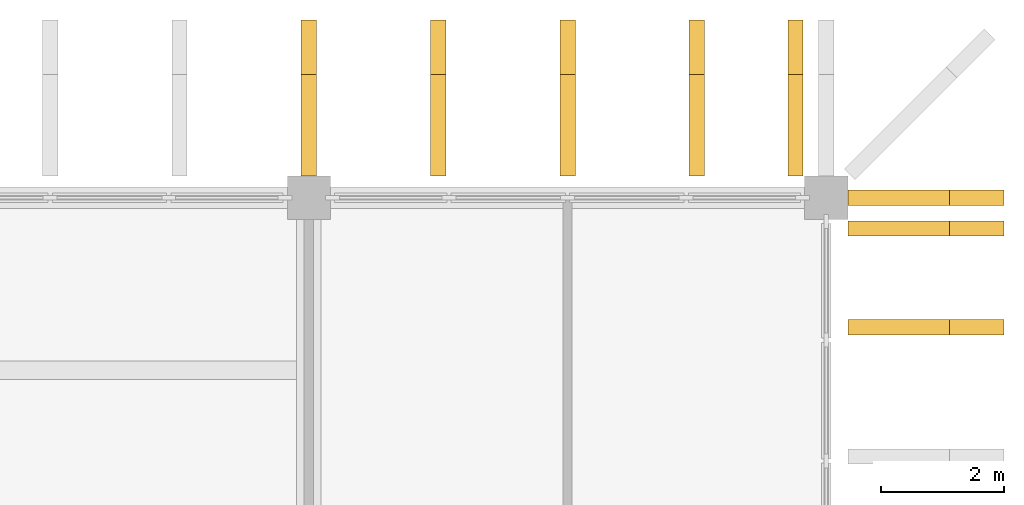
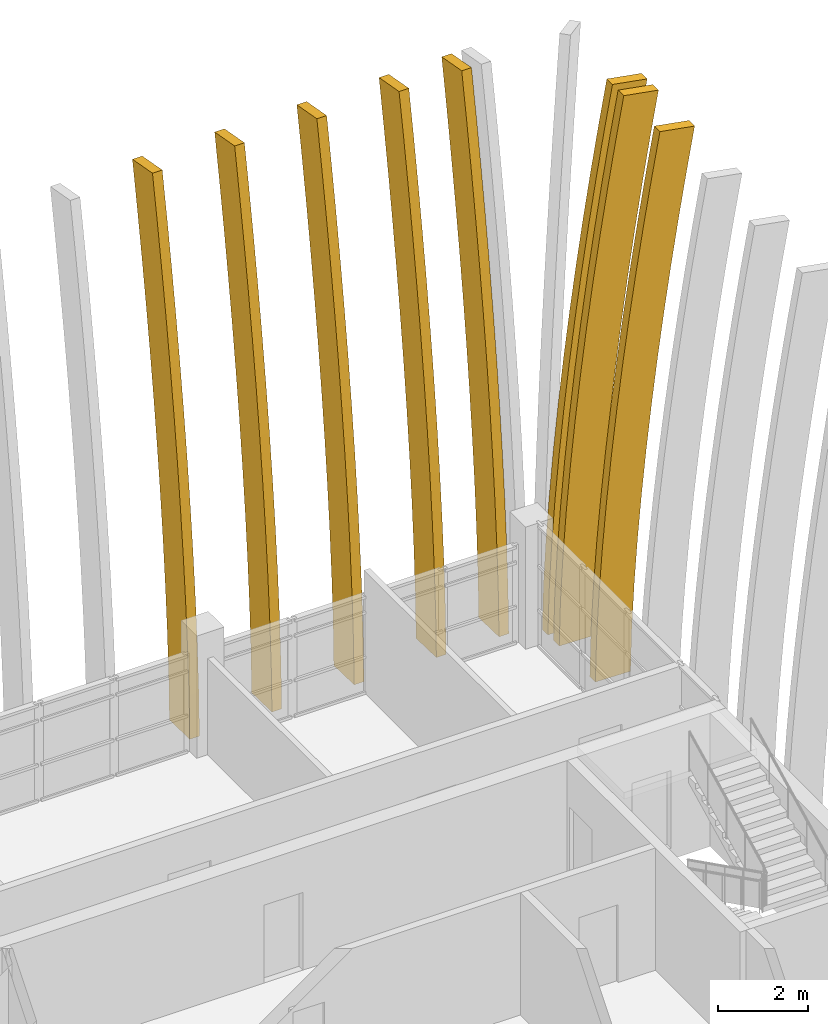
# One storey, part 17 of 19: 8 shading devices.
"""IFC4 building model written with IfcOpenShell, lengths in metres."""

from ifc_helpers import new_model, si_unit, direction, frame, origin, origin_2d, place, context, subcontext, project, spatial, rectangle, faceted_brep, material, material_profile, profile_set, type_object, element, save


model = new_model("IFC4")

# Units and contexts
model_context = context("Model", 3, precision=1e-05, world=origin(), true_north=direction((0.0, 1.0)))
body_context = subcontext(model_context, "Body", "Model", "MODEL_VIEW")
ifc_project = project(units=[si_unit("LENGTHUNIT", "METRE"), si_unit("AREAUNIT", "SQUARE_METRE"), si_unit("VOLUMEUNIT", "CUBIC_METRE"), si_unit("PLANEANGLEUNIT", "RADIAN"), si_unit("MASSUNIT", "GRAM", prefix="KILO")], contexts=[model_context])

# Site, building, storey
site_placement = place(None, origin())
site = spatial("IfcSite", under=ifc_project, at=site_placement, CompositionType="ELEMENT")
building_placement = place(site_placement, origin())
building = spatial("IfcBuilding", under=site, at=building_placement, Name="Rulbaag Community and Learning Centre", CompositionType="ELEMENT")
storey_placement = place(building_placement, frame((0.0, 0.0, 57.60009765625)))
storey = spatial("IfcBuildingStorey", under=building, at=storey_placement, Name="L15", CompositionType="ELEMENT", Elevation=57.60009765625)

# Shading devices
ifc_material = material(Name="Concrete M40", Category="concrete")
ifc_material_profile = material_profile(ifc_material, rectangle(XDim=0.25, YDim=0.89990234375, at=origin_2d()), Name="PC 250x900")
ifc_profile_set = profile_set([ifc_material_profile], Name="Concrete M40")
shading_device_type = type_object("IfcShadingDeviceType", Name="FIN-H", PredefinedType="JALOUSIE", material=ifc_profile_set)
shading_device_1_placement = place(storey_placement, frame((0.0, 0.0, -57.60009765625)))
element("IfcShadingDevice", 1, at=shading_device_1_placement, inside=storey, type_object=shading_device_type, Name="Precast crown fin", PredefinedType="JALOUSIE", context=body_context, shape_type="Brep", body=[
    faceted_brep([(159.47509765625, 118.849853515625, 57.587646484375), (159.72509765625, 118.849853515625, 57.587646484375), (159.72509765625, 117.949951171875, 57.611083984375), (159.47509765625, 117.949951171875, 57.611083984375), (159.47509765625, 119.599609375, 71.89794921875), (159.72509765625, 119.599609375, 71.89794921875), (159.72509765625, 120.4853515625, 71.73876953125), (159.47509765625, 120.4853515625, 71.73876953125), (159.72509765625, 117.98095703125, 58.790771484375), (159.47509765625, 117.98095703125, 58.790771484375), (159.72509765625, 118.88037109375, 58.755126953125), (159.47509765625, 118.88037109375, 58.755126953125), (159.72509765625, 118.043701171875, 59.983154296875), (159.47509765625, 118.043701171875, 59.983154296875), (159.72509765625, 118.942138671875, 59.927001953125), (159.47509765625, 118.942138671875, 59.927001953125), (159.72509765625, 118.129638671875, 61.1748046875), (159.47509765625, 118.129638671875, 61.1748046875), (159.72509765625, 119.026611328125, 61.10302734375), (159.47509765625, 119.026611328125, 61.10302734375), (159.72509765625, 118.234619140625, 62.36669921875), (159.47509765625, 118.234619140625, 62.36669921875), (159.72509765625, 119.130615234375, 62.28125), (159.47509765625, 119.130615234375, 62.28125), (159.72509765625, 118.356689453125, 63.558349609375), (159.47509765625, 118.356689453125, 63.558349609375), (159.72509765625, 119.251220703125, 63.460693359375), (159.47509765625, 119.251220703125, 63.460693359375), (159.72509765625, 118.494140625, 64.75), (159.47509765625, 118.494140625, 64.75), (159.72509765625, 119.3876953125, 64.64111328125), (159.47509765625, 119.3876953125, 64.64111328125), (159.72509765625, 118.646484375, 65.941650390625), (159.47509765625, 118.646484375, 65.941650390625), (159.72509765625, 119.53857421875, 65.822509765625), (159.47509765625, 119.53857421875, 65.822509765625), (159.72509765625, 118.8125, 67.13330078125), (159.47509765625, 118.8125, 67.13330078125), (159.72509765625, 119.703125, 67.00439453125), (159.47509765625, 119.703125, 67.00439453125), (159.72509765625, 118.991455078125, 68.324951171875), (159.47509765625, 118.991455078125, 68.324951171875), (159.72509765625, 119.880615234375, 68.186767578125), (159.47509765625, 119.880615234375, 68.186767578125), (159.72509765625, 119.1826171875, 69.5166015625), (159.47509765625, 119.1826171875, 69.5166015625), (159.72509765625, 120.0703125, 69.36962890625), (159.47509765625, 120.0703125, 69.36962890625), (159.72509765625, 119.385498046875, 70.708251953125), (159.47509765625, 119.385498046875, 70.708251953125), (159.72509765625, 120.272216796875, 70.552978515625), (159.47509765625, 120.272216796875, 70.552978515625)], [[[0, 1, 2, 3]], [[4, 5, 6, 7]], [[3, 2, 8, 9]], [[2, 1, 10, 8]], [[1, 0, 11, 10]], [[0, 3, 9, 11]], [[9, 8, 12, 13]], [[8, 10, 14, 12]], [[10, 11, 15, 14]], [[11, 9, 13, 15]], [[13, 12, 16, 17]], [[12, 14, 18, 16]], [[14, 15, 19, 18]], [[15, 13, 17, 19]], [[17, 16, 20, 21]], [[16, 18, 22, 20]], [[18, 19, 23, 22]], [[19, 17, 21, 23]], [[21, 20, 24, 25]], [[20, 22, 26, 24]], [[22, 23, 27, 26]], [[23, 21, 25, 27]], [[25, 24, 28, 29]], [[24, 26, 30, 28]], [[26, 27, 31, 30]], [[27, 25, 29, 31]], [[29, 28, 32, 33]], [[28, 30, 34, 32]], [[30, 31, 35, 34]], [[31, 29, 33, 35]], [[33, 32, 36, 37]], [[32, 34, 38, 36]], [[34, 35, 39, 38]], [[35, 33, 37, 39]], [[37, 36, 40, 41]], [[36, 38, 42, 40]], [[38, 39, 43, 42]], [[39, 37, 41, 43]], [[41, 40, 44, 45]], [[40, 42, 46, 44]], [[42, 43, 47, 46]], [[43, 41, 45, 47]], [[45, 44, 48, 49]], [[44, 46, 50, 48]], [[46, 47, 51, 50]], [[47, 45, 49, 51]], [[49, 48, 5, 4]], [[48, 50, 6, 5]], [[50, 51, 7, 6]], [[51, 49, 4, 7]]]),
])
shading_device_2_placement = place(storey_placement, frame((0.0, 0.0, -57.60009765625)))
element("IfcShadingDevice", 2, at=shading_device_2_placement, inside=storey, type_object=shading_device_type, Name="Precast crown fin", PredefinedType="JALOUSIE", context=body_context, shape_type="Brep", body=[
    faceted_brep([(161.574951171875, 118.849853515625, 57.587646484375), (161.824951171875, 118.849853515625, 57.587646484375), (161.824951171875, 117.949951171875, 57.611083984375), (161.574951171875, 117.949951171875, 57.611083984375), (161.574951171875, 119.599609375, 71.89794921875), (161.824951171875, 119.599609375, 71.89794921875), (161.824951171875, 120.4853515625, 71.73876953125), (161.574951171875, 120.4853515625, 71.73876953125), (161.824951171875, 117.98095703125, 58.790771484375), (161.574951171875, 117.98095703125, 58.790771484375), (161.824951171875, 118.88037109375, 58.755126953125), (161.574951171875, 118.88037109375, 58.755126953125), (161.824951171875, 118.043701171875, 59.983154296875), (161.574951171875, 118.043701171875, 59.983154296875), (161.824951171875, 118.942138671875, 59.927001953125), (161.574951171875, 118.942138671875, 59.927001953125), (161.824951171875, 118.129638671875, 61.1748046875), (161.574951171875, 118.129638671875, 61.1748046875), (161.824951171875, 119.026611328125, 61.10302734375), (161.574951171875, 119.026611328125, 61.10302734375), (161.824951171875, 118.234619140625, 62.36669921875), (161.574951171875, 118.234619140625, 62.36669921875), (161.824951171875, 119.130615234375, 62.28125), (161.574951171875, 119.130615234375, 62.28125), (161.824951171875, 118.356689453125, 63.558349609375), (161.574951171875, 118.356689453125, 63.558349609375), (161.824951171875, 119.251220703125, 63.460693359375), (161.574951171875, 119.251220703125, 63.460693359375), (161.824951171875, 118.494140625, 64.75), (161.574951171875, 118.494140625, 64.75), (161.824951171875, 119.3876953125, 64.64111328125), (161.574951171875, 119.3876953125, 64.64111328125), (161.824951171875, 118.646484375, 65.941650390625), (161.574951171875, 118.646484375, 65.941650390625), (161.824951171875, 119.53857421875, 65.822509765625), (161.574951171875, 119.53857421875, 65.822509765625), (161.824951171875, 118.8125, 67.13330078125), (161.574951171875, 118.8125, 67.13330078125), (161.824951171875, 119.703125, 67.00439453125), (161.574951171875, 119.703125, 67.00439453125), (161.824951171875, 118.991455078125, 68.324951171875), (161.574951171875, 118.991455078125, 68.324951171875), (161.824951171875, 119.880615234375, 68.186767578125), (161.574951171875, 119.880615234375, 68.186767578125), (161.824951171875, 119.1826171875, 69.5166015625), (161.574951171875, 119.1826171875, 69.5166015625), (161.824951171875, 120.0703125, 69.36962890625), (161.574951171875, 120.0703125, 69.36962890625), (161.824951171875, 119.385498046875, 70.708251953125), (161.574951171875, 119.385498046875, 70.708251953125), (161.824951171875, 120.272216796875, 70.552978515625), (161.574951171875, 120.272216796875, 70.552978515625)], [[[0, 1, 2, 3]], [[4, 5, 6, 7]], [[3, 2, 8, 9]], [[2, 1, 10, 8]], [[1, 0, 11, 10]], [[0, 3, 9, 11]], [[9, 8, 12, 13]], [[8, 10, 14, 12]], [[10, 11, 15, 14]], [[11, 9, 13, 15]], [[13, 12, 16, 17]], [[12, 14, 18, 16]], [[14, 15, 19, 18]], [[15, 13, 17, 19]], [[17, 16, 20, 21]], [[16, 18, 22, 20]], [[18, 19, 23, 22]], [[19, 17, 21, 23]], [[21, 20, 24, 25]], [[20, 22, 26, 24]], [[22, 23, 27, 26]], [[23, 21, 25, 27]], [[25, 24, 28, 29]], [[24, 26, 30, 28]], [[26, 27, 31, 30]], [[27, 25, 29, 31]], [[29, 28, 32, 33]], [[28, 30, 34, 32]], [[30, 31, 35, 34]], [[31, 29, 33, 35]], [[33, 32, 36, 37]], [[32, 34, 38, 36]], [[34, 35, 39, 38]], [[35, 33, 37, 39]], [[37, 36, 40, 41]], [[36, 38, 42, 40]], [[38, 39, 43, 42]], [[39, 37, 41, 43]], [[41, 40, 44, 45]], [[40, 42, 46, 44]], [[42, 43, 47, 46]], [[43, 41, 45, 47]], [[45, 44, 48, 49]], [[44, 46, 50, 48]], [[46, 47, 51, 50]], [[47, 45, 49, 51]], [[49, 48, 5, 4]], [[48, 50, 6, 5]], [[50, 51, 7, 6]], [[51, 49, 4, 7]]]),
])
shading_device_3_placement = place(storey_placement, frame((0.0, 0.0, -57.60009765625)))
element("IfcShadingDevice", 3, at=shading_device_3_placement, inside=storey, type_object=shading_device_type, Name="Precast crown fin", PredefinedType="JALOUSIE", context=body_context, shape_type="Brep", body=[
    faceted_brep([(163.675048828125, 118.849853515625, 57.587646484375), (163.925048828125, 118.849853515625, 57.587646484375), (163.925048828125, 117.949951171875, 57.611083984375), (163.675048828125, 117.949951171875, 57.611083984375), (163.675048828125, 119.599609375, 71.89794921875), (163.925048828125, 119.599609375, 71.89794921875), (163.925048828125, 120.4853515625, 71.73876953125), (163.675048828125, 120.4853515625, 71.73876953125), (163.925048828125, 117.98095703125, 58.790771484375), (163.675048828125, 117.98095703125, 58.790771484375), (163.925048828125, 118.88037109375, 58.755126953125), (163.675048828125, 118.88037109375, 58.755126953125), (163.925048828125, 118.043701171875, 59.983154296875), (163.675048828125, 118.043701171875, 59.983154296875), (163.925048828125, 118.942138671875, 59.927001953125), (163.675048828125, 118.942138671875, 59.927001953125), (163.925048828125, 118.129638671875, 61.1748046875), (163.675048828125, 118.129638671875, 61.1748046875), (163.925048828125, 119.026611328125, 61.10302734375), (163.675048828125, 119.026611328125, 61.10302734375), (163.925048828125, 118.234619140625, 62.36669921875), (163.675048828125, 118.234619140625, 62.36669921875), (163.925048828125, 119.130615234375, 62.28125), (163.675048828125, 119.130615234375, 62.28125), (163.925048828125, 118.356689453125, 63.558349609375), (163.675048828125, 118.356689453125, 63.558349609375), (163.925048828125, 119.251220703125, 63.460693359375), (163.675048828125, 119.251220703125, 63.460693359375), (163.925048828125, 118.494140625, 64.75), (163.675048828125, 118.494140625, 64.75), (163.925048828125, 119.3876953125, 64.64111328125), (163.675048828125, 119.3876953125, 64.64111328125), (163.925048828125, 118.646484375, 65.941650390625), (163.675048828125, 118.646484375, 65.941650390625), (163.925048828125, 119.53857421875, 65.822509765625), (163.675048828125, 119.53857421875, 65.822509765625), (163.925048828125, 118.8125, 67.13330078125), (163.675048828125, 118.8125, 67.13330078125), (163.925048828125, 119.703125, 67.00439453125), (163.675048828125, 119.703125, 67.00439453125), (163.925048828125, 118.991455078125, 68.324951171875), (163.675048828125, 118.991455078125, 68.324951171875), (163.925048828125, 119.880615234375, 68.186767578125), (163.675048828125, 119.880615234375, 68.186767578125), (163.925048828125, 119.1826171875, 69.5166015625), (163.675048828125, 119.1826171875, 69.5166015625), (163.925048828125, 120.0703125, 69.36962890625), (163.675048828125, 120.0703125, 69.36962890625), (163.925048828125, 119.385498046875, 70.708251953125), (163.675048828125, 119.385498046875, 70.708251953125), (163.925048828125, 120.272216796875, 70.552978515625), (163.675048828125, 120.272216796875, 70.552978515625)], [[[0, 1, 2, 3]], [[4, 5, 6, 7]], [[3, 2, 8, 9]], [[2, 1, 10, 8]], [[1, 0, 11, 10]], [[0, 3, 9, 11]], [[9, 8, 12, 13]], [[8, 10, 14, 12]], [[10, 11, 15, 14]], [[11, 9, 13, 15]], [[13, 12, 16, 17]], [[12, 14, 18, 16]], [[14, 15, 19, 18]], [[15, 13, 17, 19]], [[17, 16, 20, 21]], [[16, 18, 22, 20]], [[18, 19, 23, 22]], [[19, 17, 21, 23]], [[21, 20, 24, 25]], [[20, 22, 26, 24]], [[22, 23, 27, 26]], [[23, 21, 25, 27]], [[25, 24, 28, 29]], [[24, 26, 30, 28]], [[26, 27, 31, 30]], [[27, 25, 29, 31]], [[29, 28, 32, 33]], [[28, 30, 34, 32]], [[30, 31, 35, 34]], [[31, 29, 33, 35]], [[33, 32, 36, 37]], [[32, 34, 38, 36]], [[34, 35, 39, 38]], [[35, 33, 37, 39]], [[37, 36, 40, 41]], [[36, 38, 42, 40]], [[38, 39, 43, 42]], [[39, 37, 41, 43]], [[41, 40, 44, 45]], [[40, 42, 46, 44]], [[42, 43, 47, 46]], [[43, 41, 45, 47]], [[45, 44, 48, 49]], [[44, 46, 50, 48]], [[46, 47, 51, 50]], [[47, 45, 49, 51]], [[49, 48, 5, 4]], [[48, 50, 6, 5]], [[50, 51, 7, 6]], [[51, 49, 4, 7]]]),
])
shading_device_4_placement = place(storey_placement, frame((0.0, 0.0, -57.60009765625)))
element("IfcShadingDevice", 4, at=shading_device_4_placement, inside=storey, type_object=shading_device_type, Name="Precast crown fin", PredefinedType="JALOUSIE", context=body_context, shape_type="Brep", body=[
    faceted_brep([(165.77490234375, 118.849853515625, 57.587646484375), (166.02490234375, 118.849853515625, 57.587646484375), (166.02490234375, 117.949951171875, 57.611083984375), (165.77490234375, 117.949951171875, 57.611083984375), (165.77490234375, 119.599609375, 71.89794921875), (166.02490234375, 119.599609375, 71.89794921875), (166.02490234375, 120.4853515625, 71.73876953125), (165.77490234375, 120.4853515625, 71.73876953125), (166.02490234375, 117.98095703125, 58.790771484375), (165.77490234375, 117.98095703125, 58.790771484375), (166.02490234375, 118.88037109375, 58.755126953125), (165.77490234375, 118.88037109375, 58.755126953125), (166.02490234375, 118.043701171875, 59.983154296875), (165.77490234375, 118.043701171875, 59.983154296875), (166.02490234375, 118.942138671875, 59.927001953125), (165.77490234375, 118.942138671875, 59.927001953125), (166.02490234375, 118.129638671875, 61.1748046875), (165.77490234375, 118.129638671875, 61.1748046875), (166.02490234375, 119.026611328125, 61.10302734375), (165.77490234375, 119.026611328125, 61.10302734375), (166.02490234375, 118.234619140625, 62.36669921875), (165.77490234375, 118.234619140625, 62.36669921875), (166.02490234375, 119.130615234375, 62.28125), (165.77490234375, 119.130615234375, 62.28125), (166.02490234375, 118.356689453125, 63.558349609375), (165.77490234375, 118.356689453125, 63.558349609375), (166.02490234375, 119.251220703125, 63.460693359375), (165.77490234375, 119.251220703125, 63.460693359375), (166.02490234375, 118.494140625, 64.75), (165.77490234375, 118.494140625, 64.75), (166.02490234375, 119.3876953125, 64.64111328125), (165.77490234375, 119.3876953125, 64.64111328125), (166.02490234375, 118.646484375, 65.941650390625), (165.77490234375, 118.646484375, 65.941650390625), (166.02490234375, 119.53857421875, 65.822509765625), (165.77490234375, 119.53857421875, 65.822509765625), (166.02490234375, 118.8125, 67.13330078125), (165.77490234375, 118.8125, 67.13330078125), (166.02490234375, 119.703125, 67.00439453125), (165.77490234375, 119.703125, 67.00439453125), (166.02490234375, 118.991455078125, 68.324951171875), (165.77490234375, 118.991455078125, 68.324951171875), (166.02490234375, 119.880615234375, 68.186767578125), (165.77490234375, 119.880615234375, 68.186767578125), (166.02490234375, 119.1826171875, 69.5166015625), (165.77490234375, 119.1826171875, 69.5166015625), (166.02490234375, 120.0703125, 69.36962890625), (165.77490234375, 120.0703125, 69.36962890625), (166.02490234375, 119.385498046875, 70.708251953125), (165.77490234375, 119.385498046875, 70.708251953125), (166.02490234375, 120.272216796875, 70.552978515625), (165.77490234375, 120.272216796875, 70.552978515625)], [[[0, 1, 2, 3]], [[4, 5, 6, 7]], [[3, 2, 8, 9]], [[2, 1, 10, 8]], [[1, 0, 11, 10]], [[0, 3, 9, 11]], [[9, 8, 12, 13]], [[8, 10, 14, 12]], [[10, 11, 15, 14]], [[11, 9, 13, 15]], [[13, 12, 16, 17]], [[12, 14, 18, 16]], [[14, 15, 19, 18]], [[15, 13, 17, 19]], [[17, 16, 20, 21]], [[16, 18, 22, 20]], [[18, 19, 23, 22]], [[19, 17, 21, 23]], [[21, 20, 24, 25]], [[20, 22, 26, 24]], [[22, 23, 27, 26]], [[23, 21, 25, 27]], [[25, 24, 28, 29]], [[24, 26, 30, 28]], [[26, 27, 31, 30]], [[27, 25, 29, 31]], [[29, 28, 32, 33]], [[28, 30, 34, 32]], [[30, 31, 35, 34]], [[31, 29, 33, 35]], [[33, 32, 36, 37]], [[32, 34, 38, 36]], [[34, 35, 39, 38]], [[35, 33, 37, 39]], [[37, 36, 40, 41]], [[36, 38, 42, 40]], [[38, 39, 43, 42]], [[39, 37, 41, 43]], [[41, 40, 44, 45]], [[40, 42, 46, 44]], [[42, 43, 47, 46]], [[43, 41, 45, 47]], [[45, 44, 48, 49]], [[44, 46, 50, 48]], [[46, 47, 51, 50]], [[47, 45, 49, 51]], [[49, 48, 5, 4]], [[48, 50, 6, 5]], [[50, 51, 7, 6]], [[51, 49, 4, 7]]]),
])
shading_device_5_placement = place(storey_placement, frame((0.0, 0.0, -57.60009765625)))
element("IfcShadingDevice", 5, at=shading_device_5_placement, inside=storey, type_object=shading_device_type, Name="Precast crown fin", PredefinedType="JALOUSIE", context=body_context, shape_type="Brep", body=[
    faceted_brep([(167.375, 118.849853515625, 57.587646484375), (167.625, 118.849853515625, 57.587646484375), (167.625, 117.949951171875, 57.611083984375), (167.375, 117.949951171875, 57.611083984375), (167.375, 119.599609375, 71.89794921875), (167.625, 119.599609375, 71.89794921875), (167.625, 120.4853515625, 71.73876953125), (167.375, 120.4853515625, 71.73876953125), (167.625, 117.98095703125, 58.790771484375), (167.375, 117.98095703125, 58.790771484375), (167.625, 118.88037109375, 58.755126953125), (167.375, 118.88037109375, 58.755126953125), (167.625, 118.043701171875, 59.983154296875), (167.375, 118.043701171875, 59.983154296875), (167.625, 118.942138671875, 59.927001953125), (167.375, 118.942138671875, 59.927001953125), (167.625, 118.129638671875, 61.1748046875), (167.375, 118.129638671875, 61.1748046875), (167.625, 119.026611328125, 61.10302734375), (167.375, 119.026611328125, 61.10302734375), (167.625, 118.234619140625, 62.36669921875), (167.375, 118.234619140625, 62.36669921875), (167.625, 119.130615234375, 62.28125), (167.375, 119.130615234375, 62.28125), (167.625, 118.356689453125, 63.558349609375), (167.375, 118.356689453125, 63.558349609375), (167.625, 119.251220703125, 63.460693359375), (167.375, 119.251220703125, 63.460693359375), (167.625, 118.494140625, 64.75), (167.375, 118.494140625, 64.75), (167.625, 119.3876953125, 64.64111328125), (167.375, 119.3876953125, 64.64111328125), (167.625, 118.646484375, 65.941650390625), (167.375, 118.646484375, 65.941650390625), (167.625, 119.53857421875, 65.822509765625), (167.375, 119.53857421875, 65.822509765625), (167.625, 118.8125, 67.13330078125), (167.375, 118.8125, 67.13330078125), (167.625, 119.703125, 67.00439453125), (167.375, 119.703125, 67.00439453125), (167.625, 118.991455078125, 68.324951171875), (167.375, 118.991455078125, 68.324951171875), (167.625, 119.880615234375, 68.186767578125), (167.375, 119.880615234375, 68.186767578125), (167.625, 119.1826171875, 69.5166015625), (167.375, 119.1826171875, 69.5166015625), (167.625, 120.0703125, 69.36962890625), (167.375, 120.0703125, 69.36962890625), (167.625, 119.385498046875, 70.708251953125), (167.375, 119.385498046875, 70.708251953125), (167.625, 120.272216796875, 70.552978515625), (167.375, 120.272216796875, 70.552978515625)], [[[0, 1, 2, 3]], [[4, 5, 6, 7]], [[3, 2, 8, 9]], [[2, 1, 10, 8]], [[1, 0, 11, 10]], [[0, 3, 9, 11]], [[9, 8, 12, 13]], [[8, 10, 14, 12]], [[10, 11, 15, 14]], [[11, 9, 13, 15]], [[13, 12, 16, 17]], [[12, 14, 18, 16]], [[14, 15, 19, 18]], [[15, 13, 17, 19]], [[17, 16, 20, 21]], [[16, 18, 22, 20]], [[18, 19, 23, 22]], [[19, 17, 21, 23]], [[21, 20, 24, 25]], [[20, 22, 26, 24]], [[22, 23, 27, 26]], [[23, 21, 25, 27]], [[25, 24, 28, 29]], [[24, 26, 30, 28]], [[26, 27, 31, 30]], [[27, 25, 29, 31]], [[29, 28, 32, 33]], [[28, 30, 34, 32]], [[30, 31, 35, 34]], [[31, 29, 33, 35]], [[33, 32, 36, 37]], [[32, 34, 38, 36]], [[34, 35, 39, 38]], [[35, 33, 37, 39]], [[37, 36, 40, 41]], [[36, 38, 42, 40]], [[38, 39, 43, 42]], [[39, 37, 41, 43]], [[41, 40, 44, 45]], [[40, 42, 46, 44]], [[42, 43, 47, 46]], [[43, 41, 45, 47]], [[45, 44, 48, 49]], [[44, 46, 50, 48]], [[46, 47, 51, 50]], [[47, 45, 49, 51]], [[49, 48, 5, 4]], [[48, 50, 6, 5]], [[50, 51, 7, 6]], [[51, 49, 4, 7]]]),
])
shading_device_6_placement = place(storey_placement, frame((0.0, 0.0, -57.60009765625)))
element("IfcShadingDevice", 6, at=shading_device_6_placement, inside=storey, type_object=shading_device_type, Name="Precast crown fin", PredefinedType="JALOUSIE", context=body_context, shape_type="Brep", body=[
    faceted_brep([(169.25, 115.375, 57.587646484375), (169.25, 115.625, 57.587646484375), (168.35009765625, 115.625, 57.611083984375), (168.35009765625, 115.375, 57.611083984375), (169.99951171875, 115.375, 71.89794921875), (169.99951171875, 115.625, 71.89794921875), (170.88525390625, 115.625, 71.73876953125), (170.88525390625, 115.375, 71.73876953125), (168.380859375, 115.625, 58.790771484375), (168.380859375, 115.375, 58.790771484375), (169.2802734375, 115.625, 58.755126953125), (169.2802734375, 115.375, 58.755126953125), (168.44384765625, 115.625, 59.983154296875), (168.44384765625, 115.375, 59.983154296875), (169.34228515625, 115.625, 59.927001953125), (169.34228515625, 115.375, 59.927001953125), (168.529541015625, 115.625, 61.1748046875), (168.529541015625, 115.375, 61.1748046875), (169.426513671875, 115.625, 61.10302734375), (169.426513671875, 115.375, 61.10302734375), (168.634521484375, 115.625, 62.36669921875), (168.634521484375, 115.375, 62.36669921875), (169.530517578125, 115.625, 62.28125), (169.530517578125, 115.375, 62.28125), (168.756591796875, 115.625, 63.558349609375), (168.756591796875, 115.375, 63.558349609375), (169.651123046875, 115.625, 63.460693359375), (169.651123046875, 115.375, 63.460693359375), (168.894287109375, 115.625, 64.75), (168.894287109375, 115.375, 64.75), (169.787841796875, 115.625, 64.64111328125), (169.787841796875, 115.375, 64.64111328125), (169.046630859375, 115.625, 65.941650390625), (169.046630859375, 115.375, 65.941650390625), (169.938720703125, 115.625, 65.822509765625), (169.938720703125, 115.375, 65.822509765625), (169.21240234375, 115.625, 67.13330078125), (169.21240234375, 115.375, 67.13330078125), (170.10302734375, 115.625, 67.00439453125), (170.10302734375, 115.375, 67.00439453125), (169.391357421875, 115.625, 68.324951171875), (169.391357421875, 115.375, 68.324951171875), (170.280517578125, 115.625, 68.186767578125), (170.280517578125, 115.375, 68.186767578125), (169.582763671875, 115.625, 69.5166015625), (169.582763671875, 115.375, 69.5166015625), (170.470458984375, 115.625, 69.36962890625), (170.470458984375, 115.375, 69.36962890625), (169.785400390625, 115.625, 70.708251953125), (169.785400390625, 115.375, 70.708251953125), (170.672119140625, 115.625, 70.552978515625), (170.672119140625, 115.375, 70.552978515625)], [[[0, 1, 2, 3]], [[4, 5, 6, 7]], [[3, 2, 8, 9]], [[2, 1, 10, 8]], [[1, 0, 11, 10]], [[0, 3, 9, 11]], [[9, 8, 12, 13]], [[8, 10, 14, 12]], [[10, 11, 15, 14]], [[11, 9, 13, 15]], [[13, 12, 16, 17]], [[12, 14, 18, 16]], [[14, 15, 19, 18]], [[15, 13, 17, 19]], [[17, 16, 20, 21]], [[16, 18, 22, 20]], [[18, 19, 23, 22]], [[19, 17, 21, 23]], [[21, 20, 24, 25]], [[20, 22, 26, 24]], [[22, 23, 27, 26]], [[23, 21, 25, 27]], [[25, 24, 28, 29]], [[24, 26, 30, 28]], [[26, 27, 31, 30]], [[27, 25, 29, 31]], [[29, 28, 32, 33]], [[28, 30, 34, 32]], [[30, 31, 35, 34]], [[31, 29, 33, 35]], [[33, 32, 36, 37]], [[32, 34, 38, 36]], [[34, 35, 39, 38]], [[35, 33, 37, 39]], [[37, 36, 40, 41]], [[36, 38, 42, 40]], [[38, 39, 43, 42]], [[39, 37, 41, 43]], [[41, 40, 44, 45]], [[40, 42, 46, 44]], [[42, 43, 47, 46]], [[43, 41, 45, 47]], [[45, 44, 48, 49]], [[44, 46, 50, 48]], [[46, 47, 51, 50]], [[47, 45, 49, 51]], [[49, 48, 5, 4]], [[48, 50, 6, 5]], [[50, 51, 7, 6]], [[51, 49, 4, 7]]]),
])
shading_device_7_placement = place(storey_placement, frame((0.0, 0.0, -57.60009765625)))
element("IfcShadingDevice", 7, at=shading_device_7_placement, inside=storey, type_object=shading_device_type, Name="Precast crown fin", PredefinedType="JALOUSIE", context=body_context, shape_type="Brep", body=[
    faceted_brep([(169.25, 116.97509765625, 57.587646484375), (169.25, 117.22509765625, 57.587646484375), (168.35009765625, 117.22509765625, 57.611083984375), (168.35009765625, 116.97509765625, 57.611083984375), (169.99951171875, 116.97509765625, 71.89794921875), (169.99951171875, 117.22509765625, 71.89794921875), (170.88525390625, 117.22509765625, 71.73876953125), (170.88525390625, 116.97509765625, 71.73876953125), (168.380859375, 117.22509765625, 58.790771484375), (168.380859375, 116.97509765625, 58.790771484375), (169.2802734375, 117.22509765625, 58.755126953125), (169.2802734375, 116.97509765625, 58.755126953125), (168.44384765625, 117.22509765625, 59.983154296875), (168.44384765625, 116.97509765625, 59.983154296875), (169.34228515625, 117.22509765625, 59.927001953125), (169.34228515625, 116.97509765625, 59.927001953125), (168.529541015625, 117.22509765625, 61.1748046875), (168.529541015625, 116.97509765625, 61.1748046875), (169.426513671875, 117.22509765625, 61.10302734375), (169.426513671875, 116.97509765625, 61.10302734375), (168.634521484375, 117.22509765625, 62.36669921875), (168.634521484375, 116.97509765625, 62.36669921875), (169.530517578125, 117.22509765625, 62.28125), (169.530517578125, 116.97509765625, 62.28125), (168.756591796875, 117.22509765625, 63.558349609375), (168.756591796875, 116.97509765625, 63.558349609375), (169.651123046875, 117.22509765625, 63.460693359375), (169.651123046875, 116.97509765625, 63.460693359375), (168.894287109375, 117.22509765625, 64.75), (168.894287109375, 116.97509765625, 64.75), (169.787841796875, 117.22509765625, 64.64111328125), (169.787841796875, 116.97509765625, 64.64111328125), (169.046630859375, 117.22509765625, 65.941650390625), (169.046630859375, 116.97509765625, 65.941650390625), (169.938720703125, 117.22509765625, 65.822509765625), (169.938720703125, 116.97509765625, 65.822509765625), (169.21240234375, 117.22509765625, 67.13330078125), (169.21240234375, 116.97509765625, 67.13330078125), (170.10302734375, 117.22509765625, 67.00439453125), (170.10302734375, 116.97509765625, 67.00439453125), (169.391357421875, 117.22509765625, 68.324951171875), (169.391357421875, 116.97509765625, 68.324951171875), (170.280517578125, 117.22509765625, 68.186767578125), (170.280517578125, 116.97509765625, 68.186767578125), (169.582763671875, 117.22509765625, 69.5166015625), (169.582763671875, 116.97509765625, 69.5166015625), (170.470458984375, 117.22509765625, 69.36962890625), (170.470458984375, 116.97509765625, 69.36962890625), (169.785400390625, 117.22509765625, 70.708251953125), (169.785400390625, 116.97509765625, 70.708251953125), (170.672119140625, 117.22509765625, 70.552978515625), (170.672119140625, 116.97509765625, 70.552978515625)], [[[0, 1, 2, 3]], [[4, 5, 6, 7]], [[3, 2, 8, 9]], [[2, 1, 10, 8]], [[1, 0, 11, 10]], [[0, 3, 9, 11]], [[9, 8, 12, 13]], [[8, 10, 14, 12]], [[10, 11, 15, 14]], [[11, 9, 13, 15]], [[13, 12, 16, 17]], [[12, 14, 18, 16]], [[14, 15, 19, 18]], [[15, 13, 17, 19]], [[17, 16, 20, 21]], [[16, 18, 22, 20]], [[18, 19, 23, 22]], [[19, 17, 21, 23]], [[21, 20, 24, 25]], [[20, 22, 26, 24]], [[22, 23, 27, 26]], [[23, 21, 25, 27]], [[25, 24, 28, 29]], [[24, 26, 30, 28]], [[26, 27, 31, 30]], [[27, 25, 29, 31]], [[29, 28, 32, 33]], [[28, 30, 34, 32]], [[30, 31, 35, 34]], [[31, 29, 33, 35]], [[33, 32, 36, 37]], [[32, 34, 38, 36]], [[34, 35, 39, 38]], [[35, 33, 37, 39]], [[37, 36, 40, 41]], [[36, 38, 42, 40]], [[38, 39, 43, 42]], [[39, 37, 41, 43]], [[41, 40, 44, 45]], [[40, 42, 46, 44]], [[42, 43, 47, 46]], [[43, 41, 45, 47]], [[45, 44, 48, 49]], [[44, 46, 50, 48]], [[46, 47, 51, 50]], [[47, 45, 49, 51]], [[49, 48, 5, 4]], [[48, 50, 6, 5]], [[50, 51, 7, 6]], [[51, 49, 4, 7]]]),
])
shading_device_8_placement = place(storey_placement, frame((0.0, 0.0, -57.60009765625)))
element("IfcShadingDevice", 8, at=shading_device_8_placement, inside=storey, type_object=shading_device_type, Name="Precast crown fin", PredefinedType="JALOUSIE", context=body_context, shape_type="Brep", body=[
    faceted_brep([(169.25, 117.47509765625, 57.587646484375), (169.25, 117.72509765625, 57.587646484375), (168.35009765625, 117.72509765625, 57.611083984375), (168.35009765625, 117.47509765625, 57.611083984375), (169.99951171875, 117.47509765625, 71.89794921875), (169.99951171875, 117.72509765625, 71.89794921875), (170.88525390625, 117.72509765625, 71.73876953125), (170.88525390625, 117.47509765625, 71.73876953125), (168.380859375, 117.72509765625, 58.790771484375), (168.380859375, 117.47509765625, 58.790771484375), (169.2802734375, 117.72509765625, 58.755126953125), (169.2802734375, 117.47509765625, 58.755126953125), (168.44384765625, 117.72509765625, 59.983154296875), (168.44384765625, 117.47509765625, 59.983154296875), (169.34228515625, 117.72509765625, 59.927001953125), (169.34228515625, 117.47509765625, 59.927001953125), (168.529541015625, 117.72509765625, 61.1748046875), (168.529541015625, 117.47509765625, 61.1748046875), (169.426513671875, 117.72509765625, 61.10302734375), (169.426513671875, 117.47509765625, 61.10302734375), (168.634521484375, 117.72509765625, 62.36669921875), (168.634521484375, 117.47509765625, 62.36669921875), (169.530517578125, 117.72509765625, 62.28125), (169.530517578125, 117.47509765625, 62.28125), (168.756591796875, 117.72509765625, 63.558349609375), (168.756591796875, 117.47509765625, 63.558349609375), (169.651123046875, 117.72509765625, 63.460693359375), (169.651123046875, 117.47509765625, 63.460693359375), (168.894287109375, 117.72509765625, 64.75), (168.894287109375, 117.47509765625, 64.75), (169.787841796875, 117.72509765625, 64.64111328125), (169.787841796875, 117.47509765625, 64.64111328125), (169.046630859375, 117.72509765625, 65.941650390625), (169.046630859375, 117.47509765625, 65.941650390625), (169.938720703125, 117.72509765625, 65.822509765625), (169.938720703125, 117.47509765625, 65.822509765625), (169.21240234375, 117.72509765625, 67.13330078125), (169.21240234375, 117.47509765625, 67.13330078125), (170.10302734375, 117.72509765625, 67.00439453125), (170.10302734375, 117.47509765625, 67.00439453125), (169.391357421875, 117.72509765625, 68.324951171875), (169.391357421875, 117.47509765625, 68.324951171875), (170.280517578125, 117.72509765625, 68.186767578125), (170.280517578125, 117.47509765625, 68.186767578125), (169.582763671875, 117.72509765625, 69.5166015625), (169.582763671875, 117.47509765625, 69.5166015625), (170.470458984375, 117.72509765625, 69.36962890625), (170.470458984375, 117.47509765625, 69.36962890625), (169.785400390625, 117.72509765625, 70.708251953125), (169.785400390625, 117.47509765625, 70.708251953125), (170.672119140625, 117.72509765625, 70.552978515625), (170.672119140625, 117.47509765625, 70.552978515625)], [[[0, 1, 2, 3]], [[4, 5, 6, 7]], [[3, 2, 8, 9]], [[2, 1, 10, 8]], [[1, 0, 11, 10]], [[0, 3, 9, 11]], [[9, 8, 12, 13]], [[8, 10, 14, 12]], [[10, 11, 15, 14]], [[11, 9, 13, 15]], [[13, 12, 16, 17]], [[12, 14, 18, 16]], [[14, 15, 19, 18]], [[15, 13, 17, 19]], [[17, 16, 20, 21]], [[16, 18, 22, 20]], [[18, 19, 23, 22]], [[19, 17, 21, 23]], [[21, 20, 24, 25]], [[20, 22, 26, 24]], [[22, 23, 27, 26]], [[23, 21, 25, 27]], [[25, 24, 28, 29]], [[24, 26, 30, 28]], [[26, 27, 31, 30]], [[27, 25, 29, 31]], [[29, 28, 32, 33]], [[28, 30, 34, 32]], [[30, 31, 35, 34]], [[31, 29, 33, 35]], [[33, 32, 36, 37]], [[32, 34, 38, 36]], [[34, 35, 39, 38]], [[35, 33, 37, 39]], [[37, 36, 40, 41]], [[36, 38, 42, 40]], [[38, 39, 43, 42]], [[39, 37, 41, 43]], [[41, 40, 44, 45]], [[40, 42, 46, 44]], [[42, 43, 47, 46]], [[43, 41, 45, 47]], [[45, 44, 48, 49]], [[44, 46, 50, 48]], [[46, 47, 51, 50]], [[47, 45, 49, 51]], [[49, 48, 5, 4]], [[48, 50, 6, 5]], [[50, 51, 7, 6]], [[51, 49, 4, 7]]]),
])

save(model, "model.ifc")
